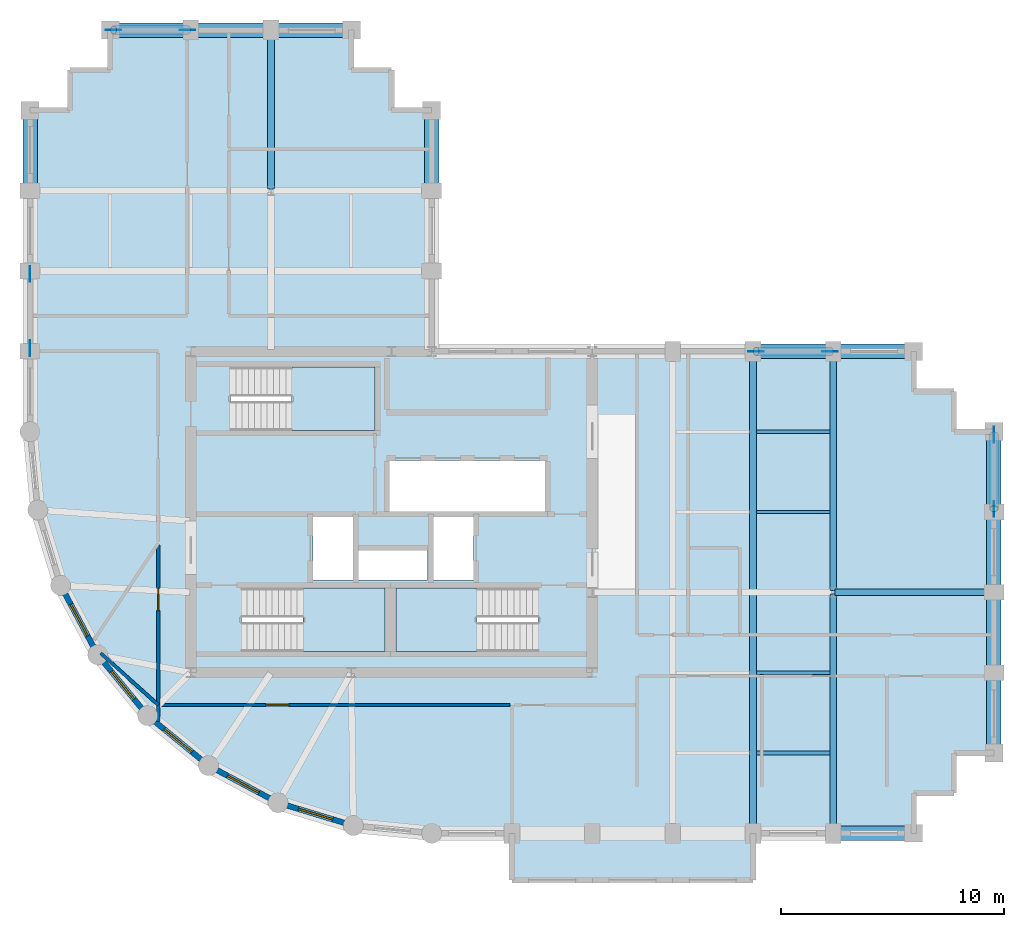
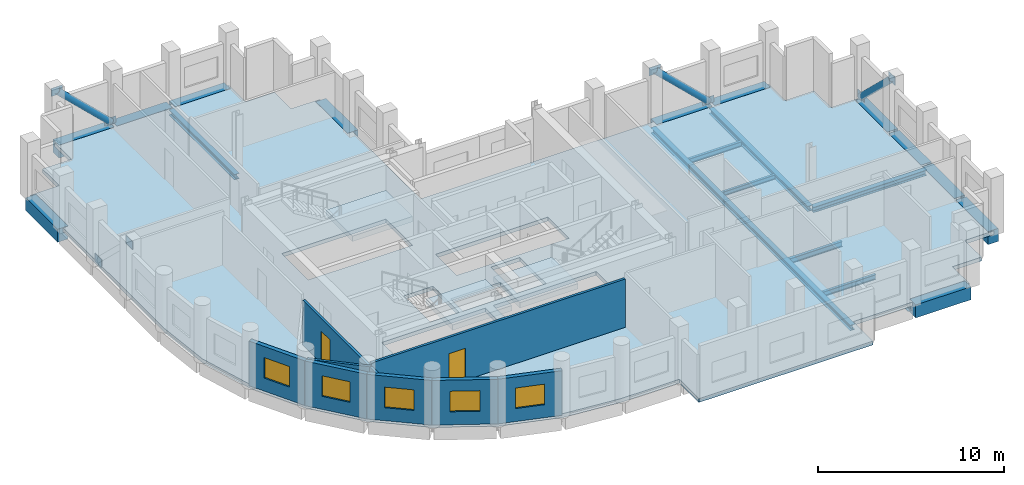
# One storey, part 2 of 7: 21 beams, 8 plates, 8 walls, 5 windows, 4 slabs, 3 members, 2 doors, 7 openings, 3 elements without a shape of their own.
"""IFC4 building model written with IfcOpenShell, lengths in metres."""

from ifc_helpers import new_model, si_unit, direction, frame, frame_2d, origin, origin_2d, place, context, subcontext, project, spatial, polyline, rectangle, hollow_circle, i_section, outline, extrude, material, layer, layer_set, material_profile, profile_set, type_object, element, fill, aggregate, save


model = new_model("IFC4")

# Units and contexts
model_context = context("Model", 3, precision=1e-05, world=origin(), true_north=direction((0.0, 1.0)))
body_context = subcontext(model_context, "Body", "Model", "MODEL_VIEW")
ifc_project = project(units=[si_unit("LENGTHUNIT", "METRE"), si_unit("AREAUNIT", "SQUARE_METRE"), si_unit("VOLUMEUNIT", "CUBIC_METRE"), si_unit("PLANEANGLEUNIT", "RADIAN"), si_unit("MASSUNIT", "GRAM", prefix="KILO")], contexts=[model_context])

# Site, building, storey
site_placement = place(None, origin())
site = spatial("IfcSite", under=ifc_project, at=site_placement, CompositionType="ELEMENT")
building_placement = place(site_placement, origin())
building = spatial("IfcBuilding", under=site, at=building_placement, Name="Solnavia Interchange Tower", CompositionType="ELEMENT")
storey_placement = place(building_placement, frame((0.0, 0.0, 201.39990234375)))
storey = spatial("IfcBuildingStorey", under=building, at=storey_placement, Name="L50", CompositionType="ELEMENT", Elevation=201.39990234375)

# Beams
ifc_material_1 = material(Name="Steel S460", Category="steel")
ifc_material_profile_1 = material_profile(ifc_material_1, i_section(OverallWidth=0.300048828125, OverallDepth=0.360107421875, WebThickness=0.012451171875, FlangeThickness=0.0224609375, FilletRadius=0.027099609375, at=origin_2d()), Name="HEB 360")
ifc_profile_set_1 = profile_set([ifc_material_profile_1], Name="Steel S460")
beam_type_1 = type_object("IfcBeamType", Name="Beam-Girder-HEB360", PredefinedType="BEAM", material=ifc_profile_set_1)
beam_1_placement = place(storey_placement, frame((43.280029296875, 14.39990234375, -0.429931640625), z_axis=(1.0, 0.0, 0.0), x_axis=(0.0, 1.0, 0.0)))
element("IfcBeam", 1, at=beam_1_placement, inside=storey, type_object=beam_type_1, Name="GRD-L50-ES02 East wing spine girder", PredefinedType="BEAM", context=body_context, shape_type="SweptSolid", body=[
    extrude(i_section(OverallWidth=0.300048828125, OverallDepth=0.360107421875, WebThickness=0.012451171875, FlangeThickness=0.0224609375, FilletRadius=0.027099609375, at=origin_2d()), origin(), (0.0, 0.0, 1.0), 7.0400390625),
])
beam_2_placement = place(storey_placement, frame((39.60009765625, 3.679931640625, -0.429931640625), z_axis=(0.0, 1.0, 0.0), x_axis=(-1.0, 0.0, 0.0)))
element("IfcBeam", 2, at=beam_2_placement, inside=storey, type_object=beam_type_1, Name="GRD-L50-EW04 East wing primary floor girder", PredefinedType="BEAM", context=body_context, shape_type="SweptSolid", body=[
    extrude(i_section(OverallWidth=0.300048828125, OverallDepth=0.360107421875, WebThickness=0.012451171875, FlangeThickness=0.0224609375, FilletRadius=0.027099609375, at=origin_2d()), origin(), (0.0, 0.0, 1.0), 21.440185546875),
])
beam_3_placement = place(storey_placement, frame((18.0, 32.47998046875, -0.429931640625), z_axis=(0.0, 1.0, 0.0), x_axis=(-1.0, 0.0, 0.0)))
element("IfcBeam", 3, at=beam_3_placement, inside=storey, type_object=beam_type_1, Name="GRD-L50-NS08 North wing spine girder", PredefinedType="BEAM", context=body_context, shape_type="SweptSolid", body=[
    extrude(i_section(OverallWidth=0.300048828125, OverallDepth=0.360107421875, WebThickness=0.012451171875, FlangeThickness=0.0224609375, FilletRadius=0.027099609375, at=origin_2d()), origin(), (0.0, 0.0, 1.0), 7.0400390625),
])
ifc_material_2 = material(Name="Steel S355", Category="steel")
ifc_material_profile_2 = material_profile(ifc_material_2, i_section(OverallWidth=0.14990234375, OverallDepth=0.300048828125, WebThickness=0.007080078125, FlangeThickness=0.0107421875, FilletRadius=0.014892578125, at=origin_2d()), Name="IPE 300")
ifc_profile_set_2 = profile_set([ifc_material_profile_2], Name="Steel S355")
beam_type_2 = type_object("IfcBeamType", Name="Beam-Joist-IPE300", PredefinedType="JOIST", material=ifc_profile_set_2)
beam_4_placement = place(storey_placement, frame((39.75, 18.0, -0.39990234375), z_axis=(1.0, 0.0, 0.0), x_axis=(0.0, 1.0, 0.0)))
element("IfcBeam", 4, at=beam_4_placement, inside=storey, type_object=beam_type_2, Name="JST-L50-E06 East wing secondary joist", PredefinedType="JOIST", context=body_context, shape_type="SweptSolid", body=[
    extrude(i_section(OverallWidth=0.14990234375, OverallDepth=0.300048828125, WebThickness=0.007080078125, FlangeThickness=0.0107421875, FilletRadius=0.014892578125, at=origin_2d()), origin(), (0.0, 0.0, 1.0), 3.300048828125),
])
ifc_material_profile_3 = material_profile(ifc_material_2, i_section(OverallWidth=0.159912109375, OverallDepth=0.330078125, WebThickness=0.007568359375, FlangeThickness=0.011474609375, FilletRadius=0.01806640625, at=origin_2d()), Name="IPE 330")
ifc_profile_set_3 = profile_set([ifc_material_profile_3], Name="Steel S355")
beam_type_3 = type_object("IfcBeamType", Name="Beam-Joist-IPE330", PredefinedType="JOIST", material=ifc_profile_set_3)
for number, where, z_axis, x_axis, name in (
    (5, (39.75, 7.199951171875, -0.414794921875), (1.0, 0.0, 0.0), (0.0, 1.0, 0.0), "JST-L50-E02 East wing secondary joist"),
    (6, (39.75, 21.60009765625, -0.414794921875), (1.0, 0.0, 0.0), (0.0, 1.0, 0.0), "JST-L50-E08 East wing secondary joist"),
):
    element("IfcBeam", number, at=place(storey_placement, frame(where, z_axis=z_axis, x_axis=x_axis)), inside=storey, type_object=beam_type_3, Name=name, PredefinedType="JOIST", context=body_context, shape_type="SweptSolid", body=[
        extrude(i_section(OverallWidth=0.159912109375, OverallDepth=0.330078125, WebThickness=0.007568359375, FlangeThickness=0.011474609375, FilletRadius=0.01806640625, at=origin_2d()), origin(), (0.0, 0.0, 1.0), 3.300048828125),
    ])
ifc_material_profile_4 = material_profile(ifc_material_2, i_section(OverallWidth=0.169921875, OverallDepth=0.360107421875, WebThickness=0.008056640625, FlangeThickness=0.0126953125, FilletRadius=0.01806640625, at=origin_2d()), Name="IPE 360")
ifc_profile_set_4 = profile_set([ifc_material_profile_4], Name="Steel S355")
beam_type_4 = type_object("IfcBeamType", Name="Beam-Joist-IPE360", PredefinedType="JOIST", material=ifc_profile_set_4)
beam_5_placement = place(storey_placement, frame((39.75, 10.800048828125, -0.429931640625), z_axis=(1.0, 0.0, 0.0), x_axis=(0.0, 1.0, 0.0)))
element("IfcBeam", 7, at=beam_5_placement, inside=storey, type_object=beam_type_4, Name="JST-L50-E04 East wing secondary joist", PredefinedType="JOIST", context=body_context, shape_type="SweptSolid", body=[
    extrude(i_section(OverallWidth=0.169921875, OverallDepth=0.360107421875, WebThickness=0.008056640625, FlangeThickness=0.0126953125, FilletRadius=0.01806640625, at=origin_2d()), origin(), (0.0, 0.0, 1.0), 3.300048828125),
])
ifc_material_profile_5 = material_profile(ifc_material_2, i_section(OverallWidth=0.300048828125, OverallDepth=0.35009765625, WebThickness=0.010009765625, FlangeThickness=0.017578125, FilletRadius=0.027099609375, at=origin_2d()), Name="HEA 360")
ifc_profile_set_5 = profile_set([ifc_material_profile_5], Name="Steel S355")
beam_type_5 = type_object("IfcBeamType", Name="Beam-Primary-HEA360", PredefinedType="BEAM", material=ifc_profile_set_5)
for number, where, z_axis, x_axis, name in (
    (8, (43.199951171875, 3.679931640625, -0.4248046875), (0.0, 1.0, 0.0), (-1.0, 0.0, 0.0), "GRD-L50-EW05 East wing primary floor girder"),
    (9, (43.199951171875, 14.47998046875, -0.4248046875), (0.0, 1.0, 0.0), (-1.0, 0.0, 0.0), "GRD-L50-EW06 East wing primary floor girder"),
):
    element("IfcBeam", number, at=place(storey_placement, frame(where, z_axis=z_axis, x_axis=x_axis)), inside=storey, type_object=beam_type_5, Name=name, PredefinedType="BEAM", context=body_context, shape_type="SweptSolid", body=[
        extrude(i_section(OverallWidth=0.300048828125, OverallDepth=0.35009765625, WebThickness=0.010009765625, FlangeThickness=0.017578125, FilletRadius=0.027099609375, at=origin_2d()), origin(), (0.0, 0.0, 1.0), 10.64013671875),
    ])
ifc_material_3 = material(Name="Concrete C50/60", Category="concrete")
ifc_material_profile_6 = material_profile(ifc_material_3, rectangle(XDim=0.64990234375, YDim=0.85009765625, at=origin_2d()), Name="RC 650x850")
ifc_profile_set_6 = profile_set([ifc_material_profile_6], Name="Concrete C50/60")
beam_type_6 = type_object("IfcBeamType", Name="Beam-Spandrel-RC650x850", PredefinedType="SPANDREL", material=ifc_profile_set_6)
for number, where, z_axis, x_axis, name in (
    (10, (43.280029296875, 3.60009765625, -0.4248046875), (1.0, 0.0, 0.0), (0.0, 1.0, 0.0), "SPB-L50-14 Framed-tube perimeter spandrel beam"),
    (11, (50.39990234375, 7.280029296875, -0.4248046875), (0.0, 1.0, 0.0), (-1.0, 0.0, 0.0), "SPB-L50-15 Framed-tube perimeter spandrel beam"),
):
    element("IfcBeam", number, at=place(storey_placement, frame(where, z_axis=z_axis, x_axis=x_axis)), inside=storey, type_object=beam_type_6, Name=name, PredefinedType="SPANDREL", context=body_context, shape_type="SweptSolid", body=[
        extrude(rectangle(XDim=0.64990234375, YDim=0.85009765625, at=origin_2d()), origin(), (0.0, 0.0, 1.0), 3.43994140625),
    ])
beam_6_placement = place(storey_placement, frame((50.39990234375, 10.8798828125, -0.4248046875), z_axis=(0.0, 1.0, 0.0), x_axis=(-1.0, 0.0, 0.0)))
element("IfcBeam", 12, at=beam_6_placement, inside=storey, type_object=beam_type_6, Name="SPB-L50-16 Framed-tube perimeter spandrel beam", PredefinedType="SPANDREL", context=body_context, shape_type="SweptSolid", body=[
    extrude(rectangle(XDim=0.64990234375, YDim=0.85009765625, at=origin_2d()), origin(), (0.0, 0.0, 1.0), 3.440185546875),
])
for number, where, z_axis, x_axis, name in (
    (13, (50.39990234375, 14.47998046875, -0.4248046875), (0.0, 1.0, 0.0), (-1.0, 0.0, 0.0), "SPB-L50-17 Framed-tube perimeter spandrel beam"),
    (14, (50.39990234375, 18.080078125, -0.4248046875), (0.0, 1.0, 0.0), (-1.0, 0.0, 0.0), "SPB-L50-18 Framed-tube perimeter spandrel beam"),
    (15, (46.719970703125, 25.199951171875, -0.4248046875), (-1.0, 0.0, 0.0), (0.0, -1.0, 0.0), "SPB-L50-19 Framed-tube perimeter spandrel beam"),
):
    element("IfcBeam", number, at=place(storey_placement, frame(where, z_axis=z_axis, x_axis=x_axis)), inside=storey, type_object=beam_type_6, Name=name, PredefinedType="SPANDREL", context=body_context, shape_type="SweptSolid", body=[
        extrude(rectangle(XDim=0.64990234375, YDim=0.85009765625, at=origin_2d()), origin(), (0.0, 0.0, 1.0), 3.43994140625),
    ])
beam_7_placement = place(storey_placement, frame((43.1201171875, 25.199951171875, -0.4248046875), z_axis=(-1.0, 0.0, 0.0), x_axis=(0.0, -1.0, 0.0)))
element("IfcBeam", 16, at=beam_7_placement, inside=storey, type_object=beam_type_6, Name="SPB-L50-20 Framed-tube perimeter spandrel beam", PredefinedType="SPANDREL", context=body_context, shape_type="SweptSolid", body=[
    extrude(rectangle(XDim=0.64990234375, YDim=0.85009765625, at=origin_2d()), origin(), (0.0, 0.0, 1.0), 3.440185546875),
])
for number, where, z_axis, x_axis, name in (
    (17, (25.199951171875, 32.47998046875, -0.4248046875), (0.0, 1.0, 0.0), (-1.0, 0.0, 0.0), "SPB-L50-26 Framed-tube perimeter spandrel beam"),
    (18, (21.52001953125, 39.60009765625, -0.4248046875), (-1.0, 0.0, 0.0), (0.0, -1.0, 0.0), "SPB-L50-27 Framed-tube perimeter spandrel beam"),
    (19, (17.919921875, 39.60009765625, -0.4248046875), (-1.0, 0.0, 0.0), (0.0, -1.0, 0.0), "SPB-L50-28 Framed-tube perimeter spandrel beam"),
):
    element("IfcBeam", number, at=place(storey_placement, frame(where, z_axis=z_axis, x_axis=x_axis)), inside=storey, type_object=beam_type_6, Name=name, PredefinedType="SPANDREL", context=body_context, shape_type="SweptSolid", body=[
        extrude(rectangle(XDim=0.64990234375, YDim=0.85009765625, at=origin_2d()), origin(), (0.0, 0.0, 1.0), 3.43994140625),
    ])
beam_8_placement = place(storey_placement, frame((14.320068359375, 39.60009765625, -0.4248046875), z_axis=(-1.0, 0.0, 0.0), x_axis=(0.0, -1.0, 0.0)))
element("IfcBeam", 20, at=beam_8_placement, inside=storey, type_object=beam_type_6, Name="SPB-L50-29 Framed-tube perimeter spandrel beam", PredefinedType="SPANDREL", context=body_context, shape_type="SweptSolid", body=[
    extrude(rectangle(XDim=0.64990234375, YDim=0.85009765625, at=origin_2d()), origin(), (0.0, 0.0, 1.0), 3.440185546875),
])
beam_9_placement = place(storey_placement, frame((7.199951171875, 35.919921875, -0.4248046875), z_axis=(0.0, -1.0, 0.0), x_axis=(1.0, 0.0, 0.0)))
element("IfcBeam", 21, at=beam_9_placement, inside=storey, type_object=beam_type_6, Name="SPB-L50-30 Framed-tube perimeter spandrel beam", PredefinedType="SPANDREL", context=body_context, shape_type="SweptSolid", body=[
    extrude(rectangle(XDim=0.64990234375, YDim=0.85009765625, at=origin_2d()), origin(), (0.0, 0.0, 1.0), 3.43994140625),
])

# Members
ifc_material_profile_7 = material_profile(ifc_material_1, hollow_circle(Radius=0.203125, WallThickness=0.02001953125, at=origin_2d()), Name="CHS 406.4x20")
ifc_profile_set_7 = profile_set([ifc_material_profile_7], Name="Steel S460")
member_type = type_object("IfcMemberType", Name="Brace-Perim-CHS406", PredefinedType="BRACE", material=ifc_profile_set_7)
for number, where, z_axis, x_axis, name in (
    (22, (50.39990234375, 21.4599609375, 0.18017578125), (0.0, -0.721096918576, 0.692834203847), (1.0, 0.0, 0.0), "BRC-L50-02 Perimeter tube diagonal brace"),
    (23, (14.260009765625, 39.60009765625, 0.18017578125), (-0.721096918576, 0.0, 0.692834203847), (0.0, -1.0, 0.0), "BRC-L50-03 Perimeter tube diagonal brace"),
    (24, (43.06005859375, 25.199951171875, 0.18017578125), (-0.721096918576, 0.0, 0.692834203847), (0.0, -1.0, 0.0), "BRC-L50-04 Perimeter tube diagonal brace"),
):
    element("IfcMember", number, at=place(storey_placement, frame(where, z_axis=z_axis, x_axis=x_axis)), inside=storey, type_object=member_type, Name=name, PredefinedType="BRACE", context=body_context, shape_type="SweptSolid", body=[
        extrude(hollow_circle(Radius=0.203125, WallThickness=0.02001953125, at=origin_2d()), origin(), (0.0, 0.0, 1.0), 4.604248046875),
    ])

# Plates
ifc_layer_1 = layer(ifc_material_1, 0.030029296875)
ifc_layer_set_1 = layer_set([ifc_layer_1], Name="Steel S460")
plate_type = type_object("IfcPlateType", Name="Plate-Gusset-700x520x30", PredefinedType="USERDEFINED", material=ifc_layer_set_1)
for number, where, z_axis, x_axis, name in (
    (25, (7.199951171875, 28.659912109375, -0.079833984375), (0.0, 0.0, 1.0), (0.0, -1.0, 0.0), "PLT-L50-GP01 Perimeter brace gusset plate"),
    (26, (7.199951171875, 25.340087890625, 3.110107421875), (0.0, 0.0, 1.0), (0.0, -1.0, 0.0), "PLT-L50-GP02 Perimeter brace gusset plate"),
    (27, (50.39990234375, 21.4599609375, -0.079833984375), (0.0, 0.0, 1.0), (0.0, -1.0, 0.0), "PLT-L50-GP03 Perimeter brace gusset plate"),
    (28, (50.39990234375, 18.139892578125, 3.110107421875), (0.0, 0.0, 1.0), (0.0, -1.0, 0.0), "PLT-L50-GP04 Perimeter brace gusset plate"),
    (29, (14.260009765625, 39.60009765625, -0.079833984375), (0.0, 0.0, 1.0), (-1.0, 0.0, 0.0), "PLT-L50-GP05 Perimeter brace gusset plate"),
    (30, (10.93994140625, 39.60009765625, 3.110107421875), (0.0, 0.0, 1.0), (-1.0, 0.0, 0.0), "PLT-L50-GP06 Perimeter brace gusset plate"),
    (31, (43.06005859375, 25.199951171875, -0.079833984375), (0.0, 0.0, 1.0), (-1.0, 0.0, 0.0), "PLT-L50-GP07 Perimeter brace gusset plate"),
    (32, (39.739990234375, 25.199951171875, 3.110107421875), (0.0, 0.0, 1.0), (-1.0, 0.0, 0.0), "PLT-L50-GP08 Perimeter brace gusset plate"),
):
    element("IfcPlate", number, at=place(storey_placement, frame(where, z_axis=z_axis, x_axis=x_axis)), inside=storey, type_object=plate_type, Name=name, ObjectType="GUSSET PLATE", PredefinedType="USERDEFINED", context=body_context, shape_type="SweptSolid", body=[
        extrude(rectangle(XDim=0.699951171875, YDim=0.030029296875, at=origin_2d()), origin(), (0.0, 0.0, 1.0), 0.52001953125),
    ])

# Stair, slab
ifc_material_4 = material(Name="Concrete C40/50", Category="concrete")
stair_type = type_object("IfcStairType", Name="Stair-Dogleg-RC", PredefinedType="HALF_TURN_STAIR", material=ifc_material_4)
stair_1_placement = place(storey_placement, origin())
stair_1 = element("IfcStair", 33, at=stair_1_placement, inside=storey, type_object=stair_type, Name="L50 Core exit stair 1", PredefinedType="HALF_TURN_STAIR")
ifc_layer_2 = layer(ifc_material_4, 0.35009765625)
ifc_layer_set_2 = layer_set([ifc_layer_2], Name="Concrete C40/50")
slab_type_1 = type_object("IfcSlabType", Name="Slab-StairLanding-350", PredefinedType="LANDING", material=ifc_layer_set_2)
slab_1_placement = place(storey_placement, frame((0.0, 0.0, 1.550048828125)))
slab_1 = element("IfcSlab", 34, at=slab_1_placement, type_object=slab_type_1, Name="ST-1 landing 1", PredefinedType="LANDING", context=body_context, shape_type="SweptSolid", body=[
    extrude(outline(polyline([(19.427978515625, 11.75), (23.10009765625, 11.75), (23.10009765625, 14.590087890625), (19.427978515625, 14.590087890625), (19.427978515625, 11.75)])), origin(), (0.0, 0.0, 1.0), 0.35009765625),
])
aggregate(stair_1, [slab_1])

stair_2_placement = place(storey_placement, origin())
stair_2 = element("IfcStair", 35, at=stair_2_placement, inside=storey, type_object=stair_type, Name="L50 Core exit stair 2", PredefinedType="HALF_TURN_STAIR")
slab_2_placement = place(storey_placement, frame((0.0, 0.0, 1.550048828125)))
slab_2 = element("IfcSlab", 36, at=slab_2_placement, type_object=slab_type_1, Name="ST-2 landing 1", PredefinedType="LANDING", context=body_context, shape_type="SweptSolid", body=[
    extrude(outline(polyline([(23.60009765625, 11.75), (27.221923828125, 11.75), (27.221923828125, 14.590087890625), (23.60009765625, 14.590087890625), (23.60009765625, 11.75)])), origin(), (0.0, 0.0, 1.0), 0.35009765625),
])
aggregate(stair_2, [slab_2])

stair_3_placement = place(storey_placement, origin())
stair_3 = element("IfcStair", 37, at=stair_3_placement, inside=storey, type_object=stair_type, Name="L50 Core exit stair 3", PredefinedType="HALF_TURN_STAIR")
slab_3_placement = place(storey_placement, frame((0.0, 0.0, 1.550048828125)))
slab_3 = element("IfcSlab", 38, at=slab_3_placement, type_object=slab_type_1, Name="ST-3 landing 1", PredefinedType="LANDING", context=body_context, shape_type="SweptSolid", body=[
    extrude(outline(polyline([(18.927978515625, 21.64990234375), (22.64990234375, 21.64990234375), (22.64990234375, 24.489990234375), (18.927978515625, 24.489990234375), (18.927978515625, 21.64990234375)])), origin(), (0.0, 0.0, 1.0), 0.35009765625),
])
aggregate(stair_3, [slab_3])

# Slab
ifc_layer_3 = layer(ifc_material_4, 0.25)
ifc_layer_set_3 = layer_set([ifc_layer_3], Name="Concrete C40/50")
slab_type_2 = type_object("IfcSlabType", Name="Slab-Tower-250", PredefinedType="FLOOR", material=ifc_layer_set_3)
slab_4_placement = place(storey_placement, frame((0.0, 0.0, -0.25)))
element("IfcSlab", 39, at=slab_4_placement, inside=storey, type_object=slab_type_2, Name="SLB-L50-01 Structural floor slab", PredefinedType="FLOOR", context=body_context, shape_type="SweptSolid", body=[
    extrude(outline(polyline([(25.199951171875, 3.60009765625), (28.800048828125, 3.60009765625), (28.800048828125, 1.5), (39.60009765625, 1.5), (39.60009765625, 3.60009765625), (46.800048828125, 3.60009765625), (46.800048828125, 5.39990234375), (48.60009765625, 5.39990234375), (48.60009765625, 7.199951171875), (50.39990234375, 7.199951171875), (50.39990234375, 21.60009765625), (48.60009765625, 21.60009765625), (48.60009765625, 23.39990234375), (46.800048828125, 23.39990234375), (46.800048828125, 25.199951171875), (25.199951171875, 25.199951171875), (25.199951171875, 36.0), (23.39990234375, 36.0), (23.39990234375, 37.800048828125), (21.60009765625, 37.800048828125), (21.60009765625, 39.60009765625), (10.800048828125, 39.60009765625), (10.800048828125, 37.800048828125), (9.0, 37.800048828125), (9.0, 36.0), (7.199951171875, 36.0), (7.199951171875, 21.60009765625), (7.5458984375, 18.087890625), (8.570068359375, 14.7119140625), (10.23388671875, 11.60009765625), (12.471923828125, 8.8720703125), (15.199951171875, 6.634033203125), (18.31201171875, 4.969970703125), (21.68798828125, 3.946044921875), (25.199951171875, 3.60009765625)]), holes=[polyline([(16.675048828125, 11.75), (23.10009765625, 11.75), (23.10009765625, 14.590087890625), (16.675048828125, 14.590087890625), (16.675048828125, 11.75)]), polyline([(23.60009765625, 11.75), (29.97509765625, 11.75), (29.97509765625, 14.590087890625), (23.60009765625, 14.590087890625), (23.60009765625, 11.75)]), polyline([(16.175048828125, 21.64990234375), (22.64990234375, 21.64990234375), (22.64990234375, 24.489990234375), (16.175048828125, 24.489990234375), (16.175048828125, 21.64990234375)]), polyline([(19.8798828125, 14.9599609375), (21.679931640625, 14.9599609375), (21.679931640625, 17.780029296875), (19.8798828125, 17.780029296875), (19.8798828125, 14.9599609375)]), polyline([(25.280029296875, 14.9599609375), (27.080078125, 14.9599609375), (27.080078125, 17.780029296875), (25.280029296875, 17.780029296875), (25.280029296875, 14.9599609375)]), polyline([(21.919921875, 14.9599609375), (25.02001953125, 14.9599609375), (25.02001953125, 16.280029296875), (21.919921875, 16.280029296875), (21.919921875, 14.9599609375)]), polyline([(23.300048828125, 18.02001953125), (30.280029296875, 18.02001953125), (30.280029296875, 20.300048828125), (23.300048828125, 20.300048828125), (23.300048828125, 18.02001953125)])]), origin(), (0.0, 0.0, 1.0), 0.25),
])

# Wall, opening, window
ifc_layer_4 = layer(ifc_material_4, 0.25)
ifc_layer_set_4 = layer_set([ifc_layer_4], Name="Concrete C40/50")
wall_type_1 = type_object("IfcWallType", Name="Wall-ExtSpandrel-250", PredefinedType="STANDARD", material=ifc_layer_set_4)
wall_1_placement = place(storey_placement, frame((10.23388671875, 11.60009765625, 0.0), z_axis=(0.0, 0.0, 1.0), x_axis=(-0.47151087309, 0.881860247748, 0.0)))
wall_1 = element("IfcWall", 40, at=wall_1_placement, inside=storey, type_object=wall_type_1, Name="EXW-L50-47 Exterior precast spandrel wall", PredefinedType="STANDARD", context=body_context, shape_type="SweptSolid", body=[
    extrude(rectangle(XDim=3.52880859375, YDim=0.25, at=frame_2d((1.764404296875, 0.0))), origin(), (0.0, 0.0, 1.0), 2.93017578125),
])
opening_1_placement = place(wall_1_placement, frame((0.964111328125, 0.0, 0.85009765625)))
opening_1 = element("IfcOpeningElement", 41, at=opening_1_placement, cuts=wall_1, Name="Opening WIN-04", PredefinedType="OPENING", context=body_context, shape_type="SweptSolid", body=[
    extrude(rectangle(XDim=1.60009765625, YDim=1.35009765625, at=frame_2d((0.800048828125, 0.675048828125))), frame((0.0, 0.135009765625, 0.0), z_axis=(0.0, -1.0, 0.0), x_axis=(1.0, 0.0, 0.0)), (0.0, 0.0, 1.0), 0.27001953125),
])
ifc_material_5 = material(Name="Thermal-Break Aluminium & Low-E Glass", Category="aluminium")
window_type = type_object("IfcWindowType", Name="Window-Drum-1600x1350", PartitioningType="SINGLE_PANEL", PredefinedType="WINDOW", material=ifc_material_5)
window_1_placement = place(opening_1_placement, origin())
window_1 = element("IfcWindow", 42, at=window_1_placement, inside=storey, type_object=window_type, Name="WIN-L50-47 Facade ribbon window", OverallHeight=1.35009765625, OverallWidth=1.60009765625, PartitioningType="SINGLE_PANEL", PredefinedType="WINDOW", context=body_context, shape_type="SweptSolid", body=[
    extrude(rectangle(XDim=1.60009765625, YDim=1.35009765625, at=frame_2d((0.800048828125, 0.675048828125))), frame((0.0, 0.030029296875, 0.0), z_axis=(0.0, -1.0, 0.0), x_axis=(1.0, 0.0, 0.0)), (0.0, 0.0, 1.0), 0.06005859375),
])
fill(opening_1, window_1)

wall_2_placement = place(storey_placement, frame((12.471923828125, 8.8720703125, 0.0), z_axis=(0.0, 0.0, 1.0), x_axis=(-0.634258295121, 0.773121216285, 0.0)))
wall_2 = element("IfcWall", 43, at=wall_2_placement, inside=storey, type_object=wall_type_1, Name="EXW-L50-48 Exterior precast spandrel wall", PredefinedType="STANDARD", context=body_context, shape_type="SweptSolid", body=[
    extrude(rectangle(XDim=3.528564453125, YDim=0.25, at=frame_2d((1.76416015625, 0.0))), origin(), (0.0, 0.0, 1.0), 2.93017578125),
])
opening_2_placement = place(wall_2_placement, frame((0.964111328125, 0.0, 0.85009765625)))
opening_2 = element("IfcOpeningElement", 44, at=opening_2_placement, cuts=wall_2, Name="Opening WIN-04", PredefinedType="OPENING", context=body_context, shape_type="SweptSolid", body=[
    extrude(rectangle(XDim=1.60009765625, YDim=1.35009765625, at=frame_2d((0.800048828125, 0.675048828125))), frame((0.0, 0.135009765625, 0.0), z_axis=(0.0, -1.0, 0.0), x_axis=(1.0, 0.0, 0.0)), (0.0, 0.0, 1.0), 0.27001953125),
])
window_2_placement = place(opening_2_placement, origin())
window_2 = element("IfcWindow", 45, at=window_2_placement, inside=storey, type_object=window_type, Name="WIN-L50-48 Facade ribbon window", OverallHeight=1.35009765625, OverallWidth=1.60009765625, PartitioningType="SINGLE_PANEL", PredefinedType="WINDOW", context=body_context, shape_type="SweptSolid", body=[
    extrude(rectangle(XDim=1.60009765625, YDim=1.35009765625, at=frame_2d((0.800048828125, 0.675048828125))), frame((0.0, 0.030029296875, 0.0), z_axis=(0.0, -1.0, 0.0), x_axis=(1.0, 0.0, 0.0)), (0.0, 0.0, 1.0), 0.06005859375),
])
fill(opening_2, window_2)

wall_3_placement = place(storey_placement, frame((15.199951171875, 6.634033203125, 0.0), z_axis=(0.0, 0.0, 1.0), x_axis=(-0.773121216285, 0.634258295121, 0.0)))
wall_3 = element("IfcWall", 46, at=wall_3_placement, inside=storey, type_object=wall_type_1, Name="EXW-L50-49 Exterior precast spandrel wall", PredefinedType="STANDARD", context=body_context, shape_type="SweptSolid", body=[
    extrude(rectangle(XDim=3.528564453125, YDim=0.25, at=frame_2d((1.76416015625, 0.0))), origin(), (0.0, 0.0, 1.0), 2.93017578125),
])
opening_3_placement = place(wall_3_placement, frame((0.964111328125, 0.0, 0.85009765625)))
opening_3 = element("IfcOpeningElement", 47, at=opening_3_placement, cuts=wall_3, Name="Opening WIN-04", PredefinedType="OPENING", context=body_context, shape_type="SweptSolid", body=[
    extrude(rectangle(XDim=1.60009765625, YDim=1.35009765625, at=frame_2d((0.800048828125, 0.675048828125))), frame((0.0, 0.135009765625, 0.0), z_axis=(0.0, -1.0, 0.0), x_axis=(1.0, 0.0, 0.0)), (0.0, 0.0, 1.0), 0.27001953125),
])
window_3_placement = place(opening_3_placement, origin())
window_3 = element("IfcWindow", 48, at=window_3_placement, inside=storey, type_object=window_type, Name="WIN-L50-49 Facade ribbon window", OverallHeight=1.35009765625, OverallWidth=1.60009765625, PartitioningType="SINGLE_PANEL", PredefinedType="WINDOW", context=body_context, shape_type="SweptSolid", body=[
    extrude(rectangle(XDim=1.60009765625, YDim=1.35009765625, at=frame_2d((0.800048828125, 0.675048828125))), frame((0.0, 0.030029296875, 0.0), z_axis=(0.0, -1.0, 0.0), x_axis=(1.0, 0.0, 0.0)), (0.0, 0.0, 1.0), 0.06005859375),
])
fill(opening_3, window_3)

wall_4_placement = place(storey_placement, frame((18.31201171875, 4.969970703125, 0.0), z_axis=(0.0, 0.0, 1.0), x_axis=(-0.881846862014, 0.471535907389, 0.0)))
wall_4 = element("IfcWall", 49, at=wall_4_placement, inside=storey, type_object=wall_type_1, Name="EXW-L50-50 Exterior precast spandrel wall", PredefinedType="STANDARD", context=body_context, shape_type="SweptSolid", body=[
    extrude(rectangle(XDim=3.529052734375, YDim=0.25, at=frame_2d((1.7646484375, 0.0))), origin(), (0.0, 0.0, 1.0), 2.93017578125),
])
opening_4_placement = place(wall_4_placement, frame((0.964111328125, 0.0, 0.85009765625)))
opening_4 = element("IfcOpeningElement", 50, at=opening_4_placement, cuts=wall_4, Name="Opening WIN-04", PredefinedType="OPENING", context=body_context, shape_type="SweptSolid", body=[
    extrude(rectangle(XDim=1.60009765625, YDim=1.35009765625, at=frame_2d((0.800048828125, 0.675048828125))), frame((0.0, 0.135009765625, 0.0), z_axis=(0.0, -1.0, 0.0), x_axis=(1.0, 0.0, 0.0)), (0.0, 0.0, 1.0), 0.27001953125),
])
window_4_placement = place(opening_4_placement, origin())
window_4 = element("IfcWindow", 51, at=window_4_placement, inside=storey, type_object=window_type, Name="WIN-L50-50 Facade ribbon window", OverallHeight=1.35009765625, OverallWidth=1.60009765625, PartitioningType="SINGLE_PANEL", PredefinedType="WINDOW", context=body_context, shape_type="SweptSolid", body=[
    extrude(rectangle(XDim=1.60009765625, YDim=1.35009765625, at=frame_2d((0.800048828125, 0.675048828125))), frame((0.0, 0.030029296875, 0.0), z_axis=(0.0, -1.0, 0.0), x_axis=(1.0, 0.0, 0.0)), (0.0, 0.0, 1.0), 0.06005859375),
])
fill(opening_4, window_4)

wall_5_placement = place(storey_placement, frame((21.68798828125, 3.946044921875, 0.0), z_axis=(0.0, 0.0, 1.0), x_axis=(-0.956953367403, 0.290241714123, 0.0)))
wall_5 = element("IfcWall", 52, at=wall_5_placement, inside=storey, type_object=wall_type_1, Name="EXW-L50-51 Exterior precast spandrel wall", PredefinedType="STANDARD", context=body_context, shape_type="SweptSolid", body=[
    extrude(rectangle(XDim=3.52783203125, YDim=0.25, at=frame_2d((1.763916015625, 0.0))), origin(), (0.0, 0.0, 1.0), 2.93017578125),
])
opening_5_placement = place(wall_5_placement, frame((0.964111328125, 0.0, 0.85009765625)))
opening_5 = element("IfcOpeningElement", 53, at=opening_5_placement, cuts=wall_5, Name="Opening WIN-04", PredefinedType="OPENING", context=body_context, shape_type="SweptSolid", body=[
    extrude(rectangle(XDim=1.60009765625, YDim=1.35009765625, at=frame_2d((0.800048828125, 0.675048828125))), frame((0.0, 0.135009765625, 0.0), z_axis=(0.0, -1.0, 0.0), x_axis=(1.0, 0.0, 0.0)), (0.0, 0.0, 1.0), 0.27001953125),
])
window_5_placement = place(opening_5_placement, origin())
window_5 = element("IfcWindow", 54, at=window_5_placement, inside=storey, type_object=window_type, Name="WIN-L50-51 Facade ribbon window", OverallHeight=1.35009765625, OverallWidth=1.60009765625, PartitioningType="SINGLE_PANEL", PredefinedType="WINDOW", context=body_context, shape_type="SweptSolid", body=[
    extrude(rectangle(XDim=1.60009765625, YDim=1.35009765625, at=frame_2d((0.800048828125, 0.675048828125))), frame((0.0, 0.030029296875, 0.0), z_axis=(0.0, -1.0, 0.0), x_axis=(1.0, 0.0, 0.0)), (0.0, 0.0, 1.0), 0.06005859375),
])
fill(opening_5, window_5)

# Wall
ifc_material_6 = material(Name="Gypsum Plasterboard & Steel Stud", Category="steel")
ifc_layer_5 = layer(ifc_material_6, 0.14990234375)
ifc_layer_set_5 = layer_set([ifc_layer_5], Name="Gypsum Plasterboard & Steel Stud")
wall_type_2 = type_object("IfcWallType", Name="Wall-Partition-150", PredefinedType="PARTITIONING", material=ifc_layer_set_5)
wall_6_placement = place(storey_placement, frame((12.949951171875, 9.35009765625, 0.0), z_axis=(0.0, 0.0, 1.0), x_axis=(-0.74362269849, 0.668599493187, 0.0)))
element("IfcWall", 55, at=wall_6_placement, inside=storey, type_object=wall_type_2, Name="PTW-L50-09 Interior partition wall", PredefinedType="PARTITIONING", context=body_context, shape_type="SweptSolid", body=[
    extrude(rectangle(XDim=3.47216796875, YDim=0.14990234375, at=frame_2d((1.736083984375, 0.0))), origin(), (0.0, 0.0, 1.0), 2.93017578125),
])

# Wall, opening, door
wall_7_placement = place(storey_placement, frame((12.949951171875, 8.60888671875, 0.0), z_axis=(0.0, 0.0, 1.0), x_axis=(0.0, 1.0, 0.0)))
wall_7 = element("IfcWall", 56, at=wall_7_placement, inside=storey, type_object=wall_type_2, Name="PTW-L50-12 Interior partition wall", PredefinedType="PARTITIONING", context=body_context, shape_type="SweptSolid", body=[
    extrude(rectangle(XDim=7.912109375, YDim=0.14990234375, at=frame_2d((3.9560546875, 0.0))), origin(), (0.0, 0.0, 1.0), 2.93017578125),
])
opening_6_placement = place(wall_7_placement, frame((4.971923828125, 0.0, 0.0)))
opening_6 = element("IfcOpeningElement", 57, at=opening_6_placement, cuts=wall_7, Name="Opening DR-07", PredefinedType="OPENING", context=body_context, shape_type="SweptSolid", body=[
    extrude(rectangle(XDim=1.0, YDim=2.10009765625, at=frame_2d((0.5, 1.050048828125))), frame((0.0, 0.0849609375, 0.0), z_axis=(0.0, -1.0, 0.0), x_axis=(1.0, 0.0, 0.0)), (0.0, 0.0, 1.0), 0.169921875),
])
ifc_material_7 = material(Name="Timber & Acoustic Glazed Office Door", Category="wood")
door_type = type_object("IfcDoorType", Name="Door-Office-1000x2100", OperationType="SINGLE_SWING_RIGHT", PredefinedType="DOOR", material=ifc_material_7)
door_1_placement = place(opening_6_placement, origin())
door_1 = element("IfcDoor", 58, at=door_1_placement, inside=storey, type_object=door_type, Name="DR-L50-04 Interior room door", OperationType="SINGLE_SWING_RIGHT", OverallHeight=2.10009765625, OverallWidth=1.0, PredefinedType="DOOR", context=body_context, shape_type="SweptSolid", body=[
    extrude(rectangle(XDim=1.0, YDim=2.10009765625, at=frame_2d((0.5, 1.050048828125))), frame((0.0, 0.02490234375, 0.0), z_axis=(0.0, -1.0, 0.0), x_axis=(1.0, 0.0, 0.0)), (0.0, 0.0, 1.0), 0.050048828125),
])
fill(opening_6, door_1)

wall_8_placement = place(storey_placement, frame((12.949951171875, 9.35009765625, 0.0), z_axis=(0.0, 0.0, 1.0), x_axis=(1.0, 0.0, 0.0)))
wall_8 = element("IfcWall", 59, at=wall_8_placement, inside=storey, type_object=wall_type_2, Name="PTW-L50-13 Interior partition wall", PredefinedType="PARTITIONING", context=body_context, shape_type="SweptSolid", body=[
    extrude(rectangle(XDim=15.77099609375, YDim=0.14990234375, at=frame_2d((7.885498046875, 0.0))), origin(), (0.0, 0.0, 1.0), 3.170166015625),
])
opening_7_placement = place(wall_8_placement, frame((4.8359375, 0.0, 0.0)))
opening_7 = element("IfcOpeningElement", 60, at=opening_7_placement, cuts=wall_8, Name="Opening DR-07", PredefinedType="OPENING", context=body_context, shape_type="SweptSolid", body=[
    extrude(rectangle(XDim=1.0, YDim=2.10009765625, at=frame_2d((0.5, 1.050048828125))), frame((0.0, 0.0849609375, 0.0), z_axis=(0.0, -1.0, 0.0), x_axis=(1.0, 0.0, 0.0)), (0.0, 0.0, 1.0), 0.169921875),
])
door_2_placement = place(opening_7_placement, origin())
door_2 = element("IfcDoor", 61, at=door_2_placement, inside=storey, type_object=door_type, Name="DR-L50-05 Interior room door", OperationType="SINGLE_SWING_LEFT", OverallHeight=2.10009765625, OverallWidth=1.0, PredefinedType="DOOR", context=body_context, shape_type="SweptSolid", body=[
    extrude(rectangle(XDim=1.0, YDim=2.10009765625, at=frame_2d((0.5, 1.050048828125))), frame((0.0, 0.02490234375, 0.0), z_axis=(0.0, -1.0, 0.0), x_axis=(1.0, 0.0, 0.0)), (0.0, 0.0, 1.0), 0.050048828125),
])
fill(opening_7, door_2)

save(model, "model.ifc")
